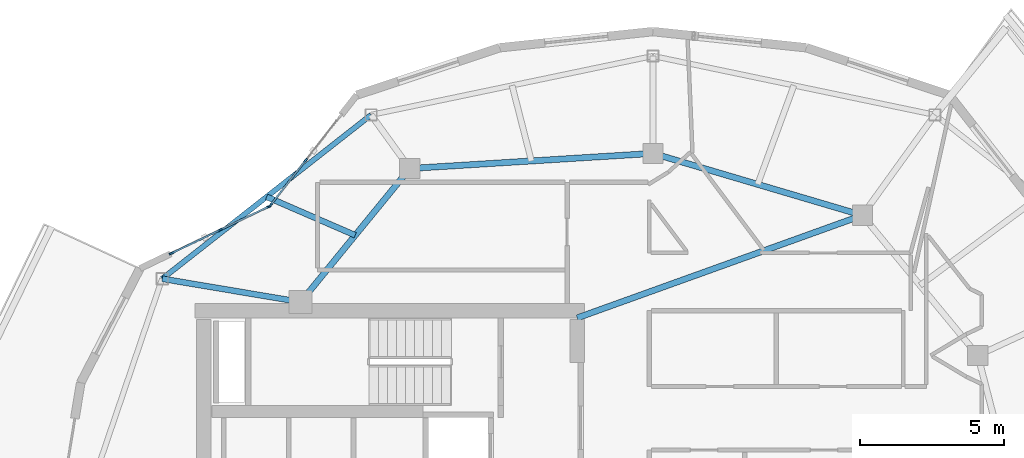
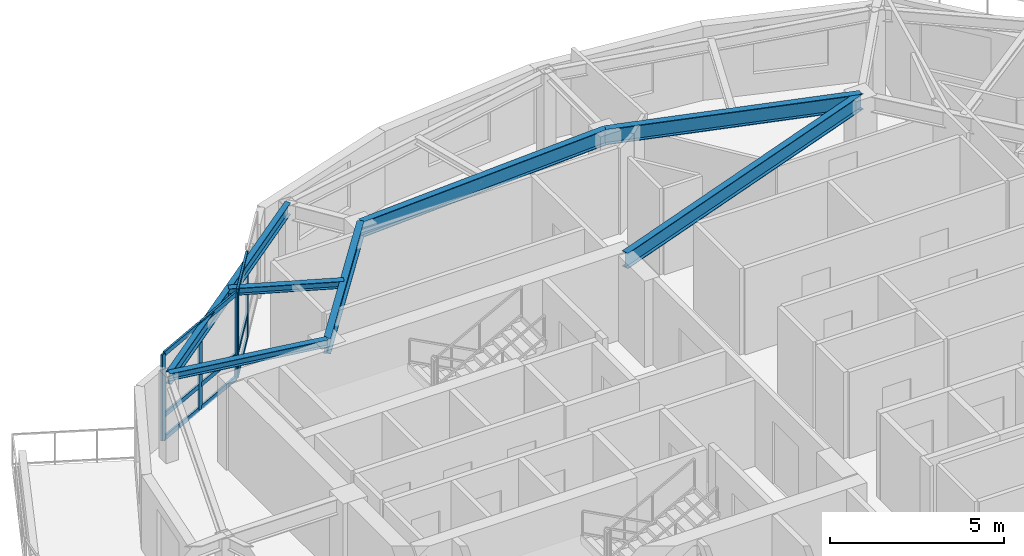
# One storey, part 4 of 14: 14 members, 7 beams, 2 elements without a shape of their own.
"""IFC4 building model written with IfcOpenShell, lengths in metres."""

from ifc_helpers import new_model, si_unit, direction, frame, origin, origin_2d, place, context, subcontext, project, spatial, rectangle, i_section, extrude, material, layer, layer_set, material_profile, profile_set, type_object, element, aggregate, save


model = new_model("IFC4")

# Units and contexts
model_context = context("Model", 3, precision=1e-05, world=origin(), true_north=direction((0.0, 1.0)))
body_context = subcontext(model_context, "Body", "Model", "MODEL_VIEW")
ifc_project = project(units=[si_unit("LENGTHUNIT", "METRE"), si_unit("AREAUNIT", "SQUARE_METRE"), si_unit("VOLUMEUNIT", "CUBIC_METRE"), si_unit("PLANEANGLEUNIT", "RADIAN"), si_unit("MASSUNIT", "GRAM", prefix="KILO")], contexts=[model_context])

# Site, building, storey
site_placement = place(None, origin())
site = spatial("IfcSite", under=ifc_project, at=site_placement, CompositionType="ELEMENT")
building_placement = place(site_placement, origin())
building = spatial("IfcBuilding", under=site, at=building_placement, Name="Kolvaren Gate Tower and Convention Centre", CompositionType="ELEMENT")
storey_placement = place(building_placement, frame((0.0, 0.0, 259.10009765625)))
storey = spatial("IfcBuildingStorey", under=building, at=storey_placement, Name="L70", CompositionType="ELEMENT", Elevation=259.10009765625)

# Curtain wall, members
ifc_material_1 = material(Name="Anodized Architectural Aluminium Alloy 6063-T6", Category="aluminium")
ifc_layer = layer(ifc_material_1, 0.159912109375)
ifc_layer_set = layer_set([ifc_layer], Name="Anodized Architectural Aluminium Alloy 6063-T6")
curtain_wall_type = type_object("IfcCurtainWallType", Name="CW-RES-UNIT", PredefinedType="NOTDEFINED", material=ifc_layer_set)
curtain_wall_1_placement = place(storey_placement, origin())
curtain_wall_1 = element("IfcCurtainWall", 1, at=curtain_wall_1_placement, inside=storey, type_object=curtain_wall_type, Name="Tower L70 Unitised Curtain Wall CW-RES-UNIT Bay 08", PredefinedType="NOTDEFINED")
ifc_material_profile_1 = material_profile(ifc_material_1, rectangle(XDim=0.06494140625, YDim=0.159912109375, at=origin_2d()), Name="CW-MEM-MUL-160")
ifc_profile_set_1 = profile_set([ifc_material_profile_1], Name="Anodized Architectural Aluminium Alloy 6063-T6")
member_type_1 = type_object("IfcMemberType", Name="CW-MEM-MUL-160", PredefinedType="MULLION", material=ifc_profile_set_1)
member_1_placement = place(storey_placement, frame((16.8662109375, 37.40087890625, 0.0), z_axis=(0.0, 0.0, 1.0), x_axis=(-0.787412947119, 0.616425867976, 0.0)))
member_1 = element("IfcMember", 2, at=member_1_placement, type_object=member_type_1, Name="CW-04 mullion 1", PredefinedType="MULLION", context=body_context, shape_type="SweptSolid", body=[
    extrude(rectangle(XDim=0.06494140625, YDim=0.159912109375, at=origin_2d()), origin(), (0.0, 0.0, 1.0), 3.02978515625),
])
member_2_placement = place(storey_placement, frame((18.082763671875, 38.954833984375, 0.0), z_axis=(0.0, 0.0, 1.0), x_axis=(-0.787412947119, 0.616425867976, 0.0)))
member_2 = element("IfcMember", 3, at=member_2_placement, type_object=member_type_1, Name="CW-04 mullion 2", PredefinedType="MULLION", context=body_context, shape_type="SweptSolid", body=[
    extrude(rectangle(XDim=0.06494140625, YDim=0.159912109375, at=origin_2d()), origin(), (0.0, 0.0, 1.0), 3.02978515625),
])

curtain_wall_2_placement = place(storey_placement, origin())
curtain_wall_2 = element("IfcCurtainWall", 4, at=curtain_wall_2_placement, inside=storey, type_object=curtain_wall_type, Name="Tower L70 Unitised Curtain Wall CW-RES-UNIT Bay 09", PredefinedType="NOTDEFINED")
member_3_placement = place(storey_placement, frame((13.438232421875, 35.738037109375, 0.0), z_axis=(0.0, 0.0, 1.0), x_axis=(-0.433070351816, 0.901360122469, 0.0)))
member_3 = element("IfcMember", 5, at=member_3_placement, type_object=member_type_1, Name="CW-04 mullion 1", PredefinedType="MULLION", context=body_context, shape_type="SweptSolid", body=[
    extrude(rectangle(XDim=0.06494140625, YDim=0.159912109375, at=origin_2d()), origin(), (0.0, 0.0, 1.0), 3.02978515625),
])
member_4_placement = place(storey_placement, frame((15.12744140625, 36.5498046875, 0.0), z_axis=(0.0, 0.0, 1.0), x_axis=(-0.433070351816, 0.901360122469, 0.0)))
member_4 = element("IfcMember", 6, at=member_4_placement, type_object=member_type_1, Name="CW-04 mullion 2", PredefinedType="MULLION", context=body_context, shape_type="SweptSolid", body=[
    extrude(rectangle(XDim=0.06494140625, YDim=0.159912109375, at=origin_2d()), origin(), (0.0, 0.0, 1.0), 3.02978515625),
])
member_5_placement = place(storey_placement, frame((16.81689453125, 37.361328125, 0.0), z_axis=(0.0, 0.0, 1.0), x_axis=(-0.433070351816, 0.901360122469, 0.0)))
member_5 = element("IfcMember", 7, at=member_5_placement, type_object=member_type_1, Name="CW-04 mullion 3", PredefinedType="MULLION", context=body_context, shape_type="SweptSolid", body=[
    extrude(rectangle(XDim=0.06494140625, YDim=0.159912109375, at=origin_2d()), origin(), (0.0, 0.0, 1.0), 3.02978515625),
])

# Member
ifc_material_profile_2 = material_profile(ifc_material_1, rectangle(XDim=0.06494140625, YDim=0.159912109375, at=origin_2d()), Name="CW-MEM-TRN-160")
ifc_profile_set_2 = profile_set([ifc_material_profile_2], Name="Anodized Architectural Aluminium Alloy 6063-T6")
member_type_2 = type_object("IfcMemberType", Name="CW-MEM-TRN-160", PredefinedType="USERDEFINED", material=ifc_profile_set_2)
member_6_placement = place(storey_placement, frame((16.88623046875, 37.426513671875, 0.032470703125), z_axis=(0.616328956941, 0.787488804261, 0.0), x_axis=(-0.787488804261, 0.616328956941, 0.0)))
member_6 = element("IfcMember", 8, at=member_6_placement, type_object=member_type_2, Name="CW-04 transom 1.1", ObjectType="TRANSOM", PredefinedType="USERDEFINED", context=body_context, shape_type="SweptSolid", body=[
    extrude(rectangle(XDim=0.06494140625, YDim=0.159912109375, at=origin_2d()), origin(), (0.0, 0.0, 1.0), 1.908447265625),
])

member_7_placement = place(storey_placement, frame((16.88623046875, 37.426513671875, 0.849853515625), z_axis=(0.616328956941, 0.787488804261, 0.0), x_axis=(-0.787488804261, 0.616328956941, 0.0)))
member_7 = element("IfcMember", 9, at=member_7_placement, type_object=member_type_2, Name="CW-04 transom 1.2", ObjectType="TRANSOM", PredefinedType="USERDEFINED", context=body_context, shape_type="SweptSolid", body=[
    extrude(rectangle(XDim=0.06494140625, YDim=0.159912109375, at=origin_2d()), origin(), (0.0, 0.0, 1.0), 1.908447265625),
])

member_8_placement = place(storey_placement, frame((16.88623046875, 37.426513671875, 2.997314453125), z_axis=(0.616328956941, 0.787488804261, 0.0), x_axis=(-0.787488804261, 0.616328956941, 0.0)))
member_8 = element("IfcMember", 10, at=member_8_placement, type_object=member_type_2, Name="CW-04 transom 1.3", ObjectType="TRANSOM", PredefinedType="USERDEFINED", context=body_context, shape_type="SweptSolid", body=[
    extrude(rectangle(XDim=0.06494140625, YDim=0.159912109375, at=origin_2d()), origin(), (0.0, 0.0, 1.0), 1.908447265625),
])

aggregate(curtain_wall_1, [member_1, member_2, member_6, member_7, member_8])

member_9_placement = place(storey_placement, frame((13.467529296875, 35.752197265625, 0.032470703125), z_axis=(0.901360838228, 0.433068862086, 0.0), x_axis=(-0.433068862086, 0.901360838228, 0.0)))
member_9 = element("IfcMember", 11, at=member_9_placement, type_object=member_type_2, Name="CW-04 transom 1.1", ObjectType="TRANSOM", PredefinedType="USERDEFINED", context=body_context, shape_type="SweptSolid", body=[
    extrude(rectangle(XDim=0.06494140625, YDim=0.159912109375, at=origin_2d()), origin(), (0.0, 0.0, 1.0), 1.80908203125),
])

member_10_placement = place(storey_placement, frame((13.467529296875, 35.752197265625, 0.849853515625), z_axis=(0.901360838228, 0.433068862086, 0.0), x_axis=(-0.433068862086, 0.901360838228, 0.0)))
member_10 = element("IfcMember", 12, at=member_10_placement, type_object=member_type_2, Name="CW-04 transom 1.2", ObjectType="TRANSOM", PredefinedType="USERDEFINED", context=body_context, shape_type="SweptSolid", body=[
    extrude(rectangle(XDim=0.06494140625, YDim=0.159912109375, at=origin_2d()), origin(), (0.0, 0.0, 1.0), 1.80908203125),
])

member_11_placement = place(storey_placement, frame((13.467529296875, 35.752197265625, 2.997314453125), z_axis=(0.901360838228, 0.433068862086, 0.0), x_axis=(-0.433068862086, 0.901360838228, 0.0)))
member_11 = element("IfcMember", 13, at=member_11_placement, type_object=member_type_2, Name="CW-04 transom 1.3", ObjectType="TRANSOM", PredefinedType="USERDEFINED", context=body_context, shape_type="SweptSolid", body=[
    extrude(rectangle(XDim=0.06494140625, YDim=0.159912109375, at=origin_2d()), origin(), (0.0, 0.0, 1.0), 1.80908203125),
])

member_12_placement = place(storey_placement, frame((15.15673828125, 36.563720703125, 0.032470703125), z_axis=(0.901386144136, 0.433016188104, 0.0), x_axis=(-0.433016188104, 0.901386144136, 0.0)))
member_12 = element("IfcMember", 14, at=member_12_placement, type_object=member_type_2, Name="CW-04 transom 2.1", ObjectType="TRANSOM", PredefinedType="USERDEFINED", context=body_context, shape_type="SweptSolid", body=[
    extrude(rectangle(XDim=0.06494140625, YDim=0.159912109375, at=origin_2d()), origin(), (0.0, 0.0, 1.0), 1.809326171875),
])

member_13_placement = place(storey_placement, frame((15.15673828125, 36.563720703125, 0.849853515625), z_axis=(0.901386144136, 0.433016188104, 0.0), x_axis=(-0.433016188104, 0.901386144136, 0.0)))
member_13 = element("IfcMember", 15, at=member_13_placement, type_object=member_type_2, Name="CW-04 transom 2.2", ObjectType="TRANSOM", PredefinedType="USERDEFINED", context=body_context, shape_type="SweptSolid", body=[
    extrude(rectangle(XDim=0.06494140625, YDim=0.159912109375, at=origin_2d()), origin(), (0.0, 0.0, 1.0), 1.809326171875),
])

member_14_placement = place(storey_placement, frame((15.15673828125, 36.563720703125, 2.997314453125), z_axis=(0.901386144136, 0.433016188104, 0.0), x_axis=(-0.433016188104, 0.901386144136, 0.0)))
member_14 = element("IfcMember", 16, at=member_14_placement, type_object=member_type_2, Name="CW-04 transom 2.3", ObjectType="TRANSOM", PredefinedType="USERDEFINED", context=body_context, shape_type="SweptSolid", body=[
    extrude(rectangle(XDim=0.06494140625, YDim=0.159912109375, at=origin_2d()), origin(), (0.0, 0.0, 1.0), 1.809326171875),
])

aggregate(curtain_wall_2, [member_3, member_4, member_5, member_9, member_10, member_11, member_12, member_13, member_14])

# Beams
ifc_material_2 = material(Name="Structural steel ASTM A992 Grade 345 MPa", Category="steel")
ifc_material_profile_3 = material_profile(ifc_material_2, i_section(OverallWidth=0.2119140625, OverallDepth=0.5439453125, WebThickness=0.01318359375, FlangeThickness=0.021240234375, at=origin_2d()), Name="W530X123")
ifc_profile_set_3 = profile_set([ifc_material_profile_3], Name="Structural steel ASTM A992 Grade 345 MPa")
beam_type_1 = type_object("IfcBeamType", Name="STR-BM-W530X123", PredefinedType="BEAM", material=ifc_profile_set_3)
beam_1_placement = place(storey_placement, frame((37.381591796875, 37.054931640625, 2.7578125), z_axis=(-0.958980837827, 0.283470902706, 0.0), x_axis=(-0.283470902706, -0.958980837827, 0.0)))
element("IfcBeam", 17, at=beam_1_placement, inside=storey, type_object=beam_type_1, Name="Tower L70 Primary Ring Girder G-03", PredefinedType="BEAM", context=body_context, shape_type="SweptSolid", body=[
    extrude(i_section(OverallWidth=0.2119140625, OverallDepth=0.5439453125, WebThickness=0.01318359375, FlangeThickness=0.021240234375, at=origin_2d()), origin(), (0.0, 0.0, 1.0), 7.56689453125),
])
beam_2_placement = place(storey_placement, frame((30.125, 39.199951171875, 2.7578125), z_axis=(-0.998078258568, -0.06196603726, 0.0), x_axis=(0.06196603726, -0.998078258568, 0.0)))
element("IfcBeam", 18, at=beam_2_placement, inside=storey, type_object=beam_type_1, Name="Tower L70 Primary Ring Girder G-04", PredefinedType="BEAM", context=body_context, shape_type="SweptSolid", body=[
    extrude(i_section(OverallWidth=0.2119140625, OverallDepth=0.5439453125, WebThickness=0.01318359375, FlangeThickness=0.021240234375, at=origin_2d()), origin(), (0.0, 0.0, 1.0), 8.443115234375),
])
beam_3_placement = place(storey_placement, frame((21.697998046875, 38.6767578125, 2.7578125), z_axis=(-0.633082074904, -0.774084676528, 0.0), x_axis=(0.774084676528, -0.633082074904, 0.0)))
element("IfcBeam", 19, at=beam_3_placement, inside=storey, type_object=beam_type_1, Name="Tower L70 Primary Ring Girder G-05", PredefinedType="BEAM", context=body_context, shape_type="SweptSolid", body=[
    extrude(i_section(OverallWidth=0.2119140625, OverallDepth=0.5439453125, WebThickness=0.01318359375, FlangeThickness=0.021240234375, at=origin_2d()), origin(), (0.0, 0.0, 1.0), 5.97705078125),
])
beam_4_placement = place(storey_placement, frame((27.5, 33.5, 2.7578125), z_axis=(0.940961479908, 0.338513653093, 0.0), x_axis=(-0.338513653093, 0.940961479908, 0.0)))
element("IfcBeam", 20, at=beam_4_placement, inside=storey, type_object=beam_type_1, Name="Tower L70 Primary Ring Girder G-10", PredefinedType="BEAM", context=body_context, shape_type="SweptSolid", body=[
    extrude(i_section(OverallWidth=0.2119140625, OverallDepth=0.5439453125, WebThickness=0.01318359375, FlangeThickness=0.021240234375, at=origin_2d()), origin(), (0.0, 0.0, 1.0), 10.501708984375),
])
ifc_material_profile_4 = material_profile(ifc_material_2, i_section(OverallWidth=0.202880859375, OverallDepth=0.251953125, WebThickness=0.008056640625, FlangeThickness=0.013427734375, at=origin_2d()), Name="W250X58")
ifc_profile_set_4 = profile_set([ifc_material_profile_4], Name="Structural steel ASTM A992 Grade 345 MPa")
beam_type_2 = type_object("IfcBeamType", Name="STR-JS-W250X58", PredefinedType="JOIST", material=ifc_profile_set_4)
beam_5_placement = place(storey_placement, frame((17.9140625, 34.050048828125, 2.90380859375), z_axis=(-0.986176061403, 0.165700862749, 0.0), x_axis=(-0.165700862749, -0.986176061403, 0.0)))
element("IfcBeam", 21, at=beam_5_placement, inside=storey, type_object=beam_type_2, Name="Tower L70 Radial Floor Girder RB-06", PredefinedType="JOIST", context=body_context, shape_type="SweptSolid", body=[
    extrude(i_section(OverallWidth=0.202880859375, OverallDepth=0.251953125, WebThickness=0.008056640625, FlangeThickness=0.013427734375, at=origin_2d()), origin(), (0.0, 0.0, 1.0), 4.864990234375),
])
beam_6_placement = place(storey_placement, frame((19.805908203125, 36.36328125, 2.90380859375), z_axis=(-0.917285677822, 0.398229814632, 0.0), x_axis=(-0.398229814632, -0.917285677822, 0.0)))
element("IfcBeam", 22, at=beam_6_placement, inside=storey, type_object=beam_type_2, Name="Tower L70 Secondary Composite Floor Joist J-05.1", PredefinedType="JOIST", context=body_context, shape_type="SweptSolid", body=[
    extrude(i_section(OverallWidth=0.202880859375, OverallDepth=0.251953125, WebThickness=0.008056640625, FlangeThickness=0.013427734375, at=origin_2d()), origin(), (0.0, 0.0, 1.0), 3.34619140625),
])
ifc_material_profile_5 = material_profile(ifc_material_2, i_section(OverallWidth=0.180908203125, OverallDepth=0.4169921875, WebThickness=0.010986328125, FlangeThickness=0.018310546875, at=origin_2d()), Name="W410X85")
ifc_profile_set_5 = profile_set([ifc_material_profile_5], Name="Structural steel ASTM A992 Grade 345 MPa")
beam_type_3 = type_object("IfcBeamType", Name="STR-SP-W410X85", PredefinedType="SPANDREL", material=ifc_profile_set_5)
beam_7_placement = place(storey_placement, frame((20.356689453125, 40.53515625, 2.8212890625), z_axis=(-0.786845586039, -0.61714991998, 0.0), x_axis=(0.61714991998, -0.786845586039, 0.0)))
element("IfcBeam", 23, at=beam_7_placement, inside=storey, type_object=beam_type_3, Name="Tower L70 Perimeter Spandrel Beam SP-05", PredefinedType="SPANDREL", context=body_context, shape_type="SweptSolid", body=[
    extrude(i_section(OverallWidth=0.180908203125, OverallDepth=0.4169921875, WebThickness=0.010986328125, FlangeThickness=0.018310546875, at=origin_2d()), origin(), (0.0, 0.0, 1.0), 9.201904296875),
])

save(model, "model.ifc")
